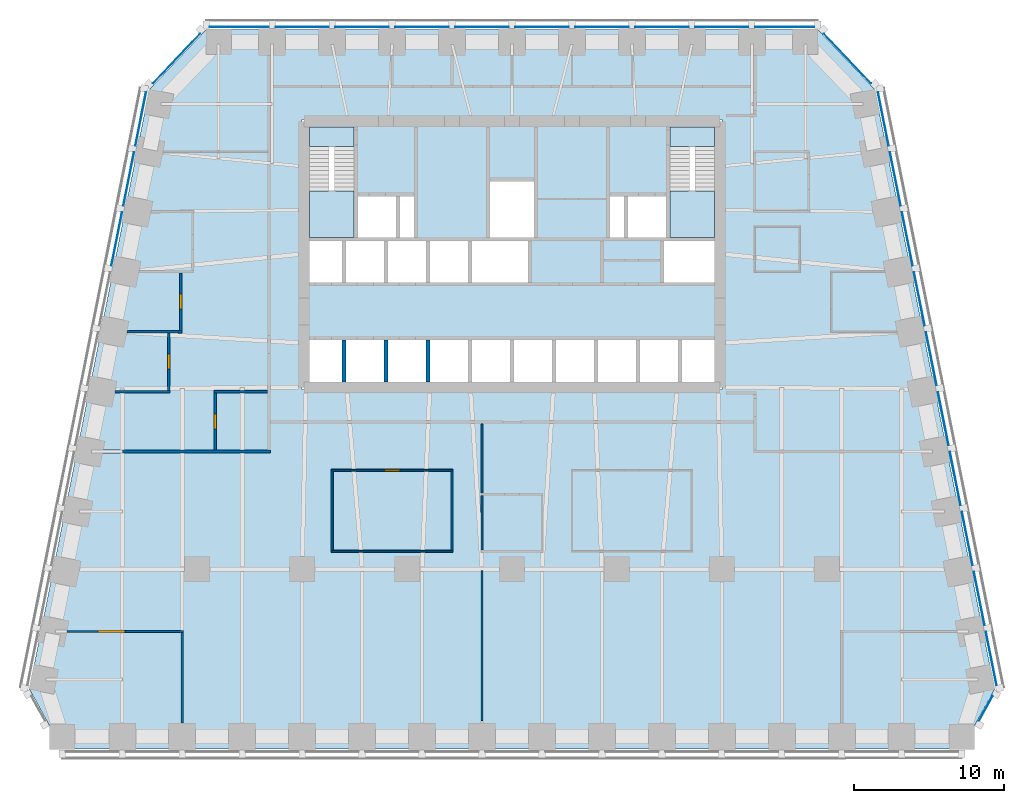
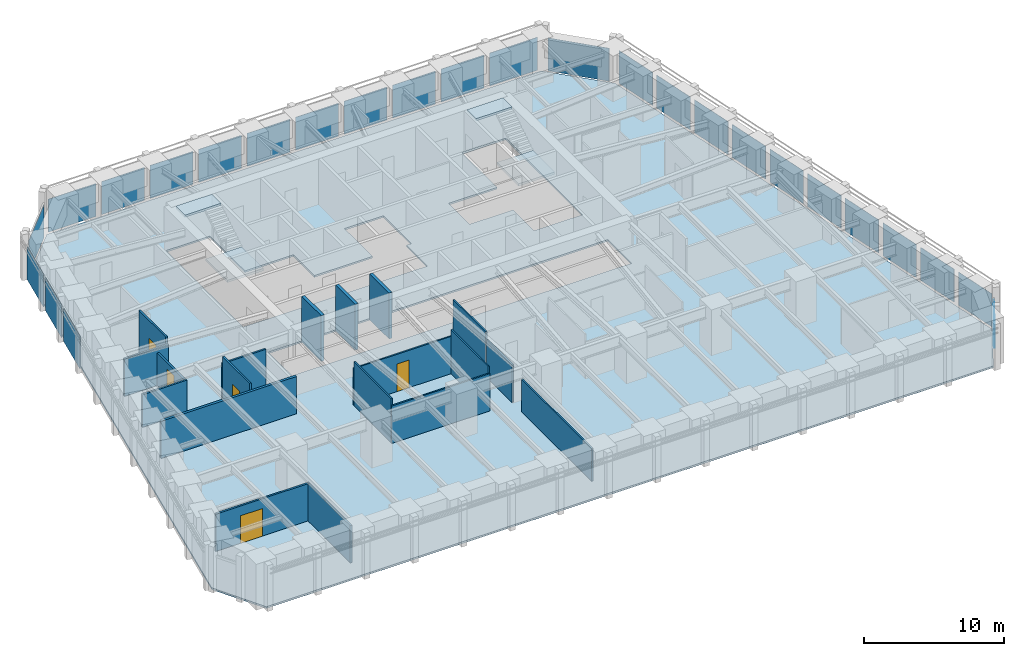
# One storey, part 5 of 10: 26 plates, 19 walls, 5 doors, 5 slabs, 5 openings, 8 elements without a shape of their own.
"""IFC4 building model written with IfcOpenShell, lengths in metres."""

from ifc_helpers import new_model, si_unit, direction, frame, frame_2d, origin, origin_2d, place, context, subcontext, project, spatial, polyline, rectangle, outline, extrude, material, layer, layer_set, type_object, element, fill, aggregate, save


model = new_model("IFC4")

# Units and contexts
model_context = context("Model", 3, precision=1e-05, world=origin(), true_north=direction((0.0, 1.0)))
body_context = subcontext(model_context, "Body", "Model", "MODEL_VIEW")
ifc_project = project(units=[si_unit("LENGTHUNIT", "METRE"), si_unit("AREAUNIT", "SQUARE_METRE"), si_unit("VOLUMEUNIT", "CUBIC_METRE"), si_unit("PLANEANGLEUNIT", "RADIAN"), si_unit("MASSUNIT", "GRAM", prefix="KILO")], contexts=[model_context])

# Site, building, storey
site_placement = place(None, origin())
site = spatial("IfcSite", under=ifc_project, at=site_placement, CompositionType="ELEMENT")
building_placement = place(site_placement, origin())
building = spatial("IfcBuilding", under=site, at=building_placement, Name="Isbrekke Arena Tower", CompositionType="ELEMENT")
storey_placement = place(building_placement, frame((0.0, 0.0, 123.0)))
storey = spatial("IfcBuildingStorey", under=building, at=storey_placement, Name="L27", CompositionType="ELEMENT", Elevation=123.0)

# Curtain wall, plate
ifc_material_1 = material(Name="Glazed aluminium curtain wall", Category="aluminium")
curtain_wall_type = type_object("IfcCurtainWallType", Name="CWM TOWER CURTAIN WALL MID ZONE", PredefinedType="USERDEFINED", material=ifc_material_1)
curtain_wall_1_placement = place(storey_placement, origin())
curtain_wall_1 = element("IfcCurtainWall", 1, at=curtain_wall_1_placement, inside=storey, type_object=curtain_wall_type, Name="CWM curtain wall L27-SE", ObjectType="TOWER CURTAIN WALL MID ZONE", PredefinedType="USERDEFINED")
ifc_material_2 = material(Name="Triple-glazed clear glass unit", Category="glass")
ifc_layer_1 = layer(ifc_material_2, 0.031982421875)
ifc_layer_set_1 = layer_set([ifc_layer_1], Name="CWM-P VISION PANEL")
plate_type = type_object("IfcPlateType", Name="CWM-P VISION PANEL", PredefinedType="CURTAIN_PANEL", material=ifc_layer_set_1)
plate_1_placement = place(storey_placement, frame((31.604248046875, -15.29052734375, 0.02001953125), z_axis=(0.0, 0.0, 1.0), x_axis=(0.481918749773, 0.876215908676, 0.0)))
plate_1 = element("IfcPlate", 2, at=plate_1_placement, type_object=plate_type, Name="CWM-P panel 1", PredefinedType="CURTAIN_PANEL", context=body_context, shape_type="SweptSolid", body=[
    extrude(rectangle(XDim=1.876220703125, YDim=0.031982421875, at=origin_2d()), origin(), (0.0, 0.0, 1.0), 2.8798828125),
])
aggregate(curtain_wall_1, [plate_1])

# Curtain wall, plates
curtain_wall_2_placement = place(storey_placement, origin())
curtain_wall_2 = element("IfcCurtainWall", 3, at=curtain_wall_2_placement, inside=storey, type_object=curtain_wall_type, Name="CWM curtain wall L27-E", ObjectType="TOWER CURTAIN WALL MID ZONE", PredefinedType="USERDEFINED")
plate_2_placement = place(storey_placement, frame((31.9716796875, -11.965576171875, 0.02001953125), z_axis=(0.0, 0.0, 1.0), x_axis=(-0.196116135138, 0.980580675691, 0.0)))
plate_2 = element("IfcPlate", 4, at=plate_2_placement, type_object=plate_type, Name="CWM-P panel 1", PredefinedType="CURTAIN_PANEL", context=body_context, shape_type="SweptSolid", body=[
    extrude(rectangle(XDim=3.629150390625, YDim=0.031982421875, at=origin_2d()), origin(), (0.0, 0.0, 1.0), 2.8798828125),
])
plate_3_placement = place(storey_placement, frame((31.171630859375, -7.965576171875, 0.02001953125), z_axis=(0.0, 0.0, 1.0), x_axis=(-0.196116135138, 0.980580675691, 0.0)))
plate_3 = element("IfcPlate", 5, at=plate_3_placement, type_object=plate_type, Name="CWM-P panel 2", PredefinedType="CURTAIN_PANEL", context=body_context, shape_type="SweptSolid", body=[
    extrude(rectangle(XDim=3.629150390625, YDim=0.031982421875, at=origin_2d()), origin(), (0.0, 0.0, 1.0), 2.8798828125),
])
plate_4_placement = place(storey_placement, frame((30.37158203125, -3.965576171875, 0.02001953125), z_axis=(0.0, 0.0, 1.0), x_axis=(-0.196116135138, 0.980580675691, 0.0)))
plate_4 = element("IfcPlate", 6, at=plate_4_placement, type_object=plate_type, Name="CWM-P panel 3", PredefinedType="CURTAIN_PANEL", context=body_context, shape_type="SweptSolid", body=[
    extrude(rectangle(XDim=3.629150390625, YDim=0.031982421875, at=origin_2d()), origin(), (0.0, 0.0, 1.0), 2.8798828125),
])
plate_5_placement = place(storey_placement, frame((29.571533203125, 0.034423828125, 0.02001953125), z_axis=(0.0, 0.0, 1.0), x_axis=(-0.196116135138, 0.980580675691, 0.0)))
plate_5 = element("IfcPlate", 7, at=plate_5_placement, type_object=plate_type, Name="CWM-P panel 4", PredefinedType="CURTAIN_PANEL", context=body_context, shape_type="SweptSolid", body=[
    extrude(rectangle(XDim=3.629150390625, YDim=0.031982421875, at=origin_2d()), origin(), (0.0, 0.0, 1.0), 2.8798828125),
])
plate_6_placement = place(storey_placement, frame((28.771484375, 4.034423828125, 0.02001953125), z_axis=(0.0, 0.0, 1.0), x_axis=(-0.196116135138, 0.980580675691, 0.0)))
plate_6 = element("IfcPlate", 8, at=plate_6_placement, type_object=plate_type, Name="CWM-P panel 5", PredefinedType="CURTAIN_PANEL", context=body_context, shape_type="SweptSolid", body=[
    extrude(rectangle(XDim=3.629150390625, YDim=0.031982421875, at=origin_2d()), origin(), (0.0, 0.0, 1.0), 2.8798828125),
])
plate_7_placement = place(storey_placement, frame((27.9716796875, 8.034423828125, 0.02001953125), z_axis=(0.0, 0.0, 1.0), x_axis=(-0.196116135138, 0.980580675691, 0.0)))
plate_7 = element("IfcPlate", 9, at=plate_7_placement, type_object=plate_type, Name="CWM-P panel 6", PredefinedType="CURTAIN_PANEL", context=body_context, shape_type="SweptSolid", body=[
    extrude(rectangle(XDim=3.629150390625, YDim=0.031982421875, at=origin_2d()), origin(), (0.0, 0.0, 1.0), 2.8798828125),
])
plate_8_placement = place(storey_placement, frame((27.171630859375, 12.034423828125, 0.02001953125), z_axis=(0.0, 0.0, 1.0), x_axis=(-0.196116135138, 0.980580675691, 0.0)))
plate_8 = element("IfcPlate", 10, at=plate_8_placement, type_object=plate_type, Name="CWM-P panel 7", PredefinedType="CURTAIN_PANEL", context=body_context, shape_type="SweptSolid", body=[
    extrude(rectangle(XDim=3.629150390625, YDim=0.031982421875, at=origin_2d()), origin(), (0.0, 0.0, 1.0), 2.8798828125),
])
plate_9_placement = place(storey_placement, frame((26.37158203125, 16.034423828125, 0.02001953125), z_axis=(0.0, 0.0, 1.0), x_axis=(-0.196116135138, 0.980580675691, 0.0)))
plate_9 = element("IfcPlate", 11, at=plate_9_placement, type_object=plate_type, Name="CWM-P panel 8", PredefinedType="CURTAIN_PANEL", context=body_context, shape_type="SweptSolid", body=[
    extrude(rectangle(XDim=3.629150390625, YDim=0.031982421875, at=origin_2d()), origin(), (0.0, 0.0, 1.0), 2.8798828125),
])
plate_10_placement = place(storey_placement, frame((25.571533203125, 20.034423828125, 0.02001953125), z_axis=(0.0, 0.0, 1.0), x_axis=(-0.196116135138, 0.980580675691, 0.0)))
plate_10 = element("IfcPlate", 12, at=plate_10_placement, type_object=plate_type, Name="CWM-P panel 9", PredefinedType="CURTAIN_PANEL", context=body_context, shape_type="SweptSolid", body=[
    extrude(rectangle(XDim=3.629150390625, YDim=0.031982421875, at=origin_2d()), origin(), (0.0, 0.0, 1.0), 2.8798828125),
])
plate_11_placement = place(storey_placement, frame((24.771484375, 24.034423828125, 0.02001953125), z_axis=(0.0, 0.0, 1.0), x_axis=(-0.196116135138, 0.980580675691, 0.0)))
plate_11 = element("IfcPlate", 13, at=plate_11_placement, type_object=plate_type, Name="CWM-P panel 10", PredefinedType="CURTAIN_PANEL", context=body_context, shape_type="SweptSolid", body=[
    extrude(rectangle(XDim=3.629150390625, YDim=0.031982421875, at=origin_2d()), origin(), (0.0, 0.0, 1.0), 2.8798828125),
])
aggregate(curtain_wall_2, [plate_2, plate_3, plate_4, plate_5, plate_6, plate_7, plate_8, plate_9, plate_10, plate_11])

# Curtain wall, plate
curtain_wall_3_placement = place(storey_placement, origin())
curtain_wall_3 = element("IfcCurtainWall", 14, at=curtain_wall_3_placement, inside=storey, type_object=curtain_wall_type, Name="CWM curtain wall L27-EN", ObjectType="TOWER CURTAIN WALL MID ZONE", PredefinedType="USERDEFINED")
plate_12_placement = place(storey_placement, frame((22.374755859375, 28.06640625, 0.02001953125), z_axis=(0.0, 0.0, 1.0), x_axis=(-0.68874946192, 0.72499943359, 0.0)))
plate_12 = element("IfcPlate", 15, at=plate_12_placement, type_object=plate_type, Name="CWM-P panel 1", PredefinedType="CURTAIN_PANEL", context=body_context, shape_type="SweptSolid", body=[
    extrude(rectangle(XDim=4.558349609375, YDim=0.031982421875, at=origin_2d()), origin(), (0.0, 0.0, 1.0), 2.8798828125),
])
aggregate(curtain_wall_3, [plate_12])

# Curtain wall, plates
curtain_wall_4_placement = place(storey_placement, origin())
curtain_wall_4 = element("IfcCurtainWall", 16, at=curtain_wall_4_placement, inside=storey, type_object=curtain_wall_type, Name="CWM curtain wall L27-N", ObjectType="TOWER CURTAIN WALL MID ZONE", PredefinedType="USERDEFINED")
plate_13_placement = place(storey_placement, frame((18.199951171875, 30.175048828125, 0.02001953125), z_axis=(0.0, 0.0, 1.0), x_axis=(-1.0, 0.0, 0.0)))
plate_13 = element("IfcPlate", 17, at=plate_13_placement, type_object=plate_type, Name="CWM-P panel 1", PredefinedType="CURTAIN_PANEL", context=body_context, shape_type="SweptSolid", body=[
    extrude(rectangle(XDim=3.949951171875, YDim=0.031982421875, at=origin_2d()), origin(), (0.0, 0.0, 1.0), 2.8798828125),
])
plate_14_placement = place(storey_placement, frame((14.0, 30.175048828125, 0.02001953125), z_axis=(0.0, 0.0, 1.0), x_axis=(-1.0, 0.0, 0.0)))
plate_14 = element("IfcPlate", 18, at=plate_14_placement, type_object=plate_type, Name="CWM-P panel 2", PredefinedType="CURTAIN_PANEL", context=body_context, shape_type="SweptSolid", body=[
    extrude(rectangle(XDim=3.550048828125, YDim=0.031982421875, at=origin_2d()), origin(), (0.0, 0.0, 1.0), 2.8798828125),
])
plate_15_placement = place(storey_placement, frame((10.0, 30.175048828125, 0.02001953125), z_axis=(0.0, 0.0, 1.0), x_axis=(-1.0, 0.0, 0.0)))
plate_15 = element("IfcPlate", 19, at=plate_15_placement, type_object=plate_type, Name="CWM-P panel 3", PredefinedType="CURTAIN_PANEL", context=body_context, shape_type="SweptSolid", body=[
    extrude(rectangle(XDim=3.550048828125, YDim=0.031982421875, at=origin_2d()), origin(), (0.0, 0.0, 1.0), 2.8798828125),
])
plate_16_placement = place(storey_placement, frame((6.0, 30.175048828125, 0.02001953125), z_axis=(0.0, 0.0, 1.0), x_axis=(-1.0, 0.0, 0.0)))
plate_16 = element("IfcPlate", 20, at=plate_16_placement, type_object=plate_type, Name="CWM-P panel 4", PredefinedType="CURTAIN_PANEL", context=body_context, shape_type="SweptSolid", body=[
    extrude(rectangle(XDim=3.550048828125, YDim=0.031982421875, at=origin_2d()), origin(), (0.0, 0.0, 1.0), 2.8798828125),
])
plate_17_placement = place(storey_placement, frame((2.0, 30.175048828125, 0.02001953125), z_axis=(0.0, 0.0, 1.0), x_axis=(-1.0, 0.0, 0.0)))
plate_17 = element("IfcPlate", 21, at=plate_17_placement, type_object=plate_type, Name="CWM-P panel 5", PredefinedType="CURTAIN_PANEL", context=body_context, shape_type="SweptSolid", body=[
    extrude(rectangle(XDim=3.550048828125, YDim=0.031982421875, at=origin_2d()), origin(), (0.0, 0.0, 1.0), 2.8798828125),
])
plate_18_placement = place(storey_placement, frame((-2.0, 30.175048828125, 0.02001953125), z_axis=(0.0, 0.0, 1.0), x_axis=(-1.0, 0.0, 0.0)))
plate_18 = element("IfcPlate", 22, at=plate_18_placement, type_object=plate_type, Name="CWM-P panel 6", PredefinedType="CURTAIN_PANEL", context=body_context, shape_type="SweptSolid", body=[
    extrude(rectangle(XDim=3.550048828125, YDim=0.031982421875, at=origin_2d()), origin(), (0.0, 0.0, 1.0), 2.8798828125),
])
plate_19_placement = place(storey_placement, frame((-6.0, 30.175048828125, 0.02001953125), z_axis=(0.0, 0.0, 1.0), x_axis=(-1.0, 0.0, 0.0)))
plate_19 = element("IfcPlate", 23, at=plate_19_placement, type_object=plate_type, Name="CWM-P panel 7", PredefinedType="CURTAIN_PANEL", context=body_context, shape_type="SweptSolid", body=[
    extrude(rectangle(XDim=3.550048828125, YDim=0.031982421875, at=origin_2d()), origin(), (0.0, 0.0, 1.0), 2.8798828125),
])
plate_20_placement = place(storey_placement, frame((-10.0, 30.175048828125, 0.02001953125), z_axis=(0.0, 0.0, 1.0), x_axis=(-1.0, 0.0, 0.0)))
plate_20 = element("IfcPlate", 24, at=plate_20_placement, type_object=plate_type, Name="CWM-P panel 8", PredefinedType="CURTAIN_PANEL", context=body_context, shape_type="SweptSolid", body=[
    extrude(rectangle(XDim=3.550048828125, YDim=0.031982421875, at=origin_2d()), origin(), (0.0, 0.0, 1.0), 2.8798828125),
])
plate_21_placement = place(storey_placement, frame((-14.0, 30.175048828125, 0.02001953125), z_axis=(0.0, 0.0, 1.0), x_axis=(-1.0, 0.0, 0.0)))
plate_21 = element("IfcPlate", 25, at=plate_21_placement, type_object=plate_type, Name="CWM-P panel 9", PredefinedType="CURTAIN_PANEL", context=body_context, shape_type="SweptSolid", body=[
    extrude(rectangle(XDim=3.550048828125, YDim=0.031982421875, at=origin_2d()), origin(), (0.0, 0.0, 1.0), 2.8798828125),
])
plate_22_placement = place(storey_placement, frame((-18.199951171875, 30.175048828125, 0.02001953125), z_axis=(0.0, 0.0, 1.0), x_axis=(-1.0, 0.0, 0.0)))
plate_22 = element("IfcPlate", 26, at=plate_22_placement, type_object=plate_type, Name="CWM-P panel 10", PredefinedType="CURTAIN_PANEL", context=body_context, shape_type="SweptSolid", body=[
    extrude(rectangle(XDim=3.949951171875, YDim=0.031982421875, at=origin_2d()), origin(), (0.0, 0.0, 1.0), 2.8798828125),
])
aggregate(curtain_wall_4, [plate_13, plate_14, plate_15, plate_16, plate_17, plate_18, plate_19, plate_20, plate_21, plate_22])

# Curtain wall, plate
curtain_wall_5_placement = place(storey_placement, origin())
curtain_wall_5 = element("IfcCurtainWall", 27, at=curtain_wall_5_placement, inside=storey, type_object=curtain_wall_type, Name="CWM curtain wall L27-NW", ObjectType="TOWER CURTAIN WALL MID ZONE", PredefinedType="USERDEFINED")
plate_23_placement = place(storey_placement, frame((-22.37451171875, 28.066650390625, 0.02001953125), z_axis=(0.0, 0.0, 1.0), x_axis=(-0.68874946192, -0.72499943359, 0.0)))
plate_23 = element("IfcPlate", 28, at=plate_23_placement, type_object=plate_type, Name="CWM-P panel 1", PredefinedType="CURTAIN_PANEL", context=body_context, shape_type="SweptSolid", body=[
    extrude(rectangle(XDim=4.557373046875, YDim=0.031982421875, at=origin_2d()), origin(), (0.0, 0.0, 1.0), 2.8798828125),
])
aggregate(curtain_wall_5, [plate_23])

# Curtain wall, plates
curtain_wall_6_placement = place(storey_placement, origin())
curtain_wall_6 = element("IfcCurtainWall", 29, at=curtain_wall_6_placement, inside=storey, type_object=curtain_wall_type, Name="CWM curtain wall L27-W", ObjectType="TOWER CURTAIN WALL MID ZONE", PredefinedType="USERDEFINED")
plate_24_placement = place(storey_placement, frame((-24.771484375, 24.034423828125, 0.02001953125), z_axis=(0.0, 0.0, 1.0), x_axis=(-0.196116135138, -0.980580675691, 0.0)))
plate_24 = element("IfcPlate", 30, at=plate_24_placement, type_object=plate_type, Name="CWM-P panel 1", PredefinedType="CURTAIN_PANEL", context=body_context, shape_type="SweptSolid", body=[
    extrude(rectangle(XDim=3.629150390625, YDim=0.031982421875, at=origin_2d()), origin(), (0.0, 0.0, 1.0), 2.8798828125),
])
plate_25_placement = place(storey_placement, frame((-25.571533203125, 20.034423828125, 0.02001953125), z_axis=(0.0, 0.0, 1.0), x_axis=(-0.196116135138, -0.980580675691, 0.0)))
plate_25 = element("IfcPlate", 31, at=plate_25_placement, type_object=plate_type, Name="CWM-P panel 2", PredefinedType="CURTAIN_PANEL", context=body_context, shape_type="SweptSolid", body=[
    extrude(rectangle(XDim=3.629150390625, YDim=0.031982421875, at=origin_2d()), origin(), (0.0, 0.0, 1.0), 2.8798828125),
])
plate_26_placement = place(storey_placement, frame((-26.37158203125, 16.034423828125, 0.02001953125), z_axis=(0.0, 0.0, 1.0), x_axis=(-0.196116135138, -0.980580675691, 0.0)))
plate_26 = element("IfcPlate", 32, at=plate_26_placement, type_object=plate_type, Name="CWM-P panel 3", PredefinedType="CURTAIN_PANEL", context=body_context, shape_type="SweptSolid", body=[
    extrude(rectangle(XDim=3.629150390625, YDim=0.031982421875, at=origin_2d()), origin(), (0.0, 0.0, 1.0), 2.8798828125),
])
aggregate(curtain_wall_6, [plate_24, plate_25, plate_26])

# Slab
ifc_material_3 = material(Name="Concrete B35 (C35/45)", Category="concrete")
ifc_layer_2 = layer(ifc_material_3, 0.14990234375)
ifc_layer_set_2 = layer_set([ifc_layer_2], Name="FS1 COMPOSITE FLOOR 150")
slab_type_1 = type_object("IfcSlabType", Name="FS1 COMPOSITE FLOOR 150", PredefinedType="FLOOR", material=ifc_layer_set_2)
slab_1_placement = place(storey_placement, frame((0.0, 0.0, -0.14990234375)))
element("IfcSlab", 33, at=slab_1_placement, inside=storey, type_object=slab_type_1, Name="FS1 floor slab L27", PredefinedType="FLOOR", context=body_context, shape_type="SweptSolid", body=[
    extrude(outline(polyline([(-30.0, -18.0), (30.0, -18.0), (32.199951171875, -14.0), (24.199951171875, 26.0), (20.39990234375, 30.0), (-20.39990234375, 30.0), (-24.199951171875, 26.0), (-32.199951171875, -14.0), (-30.0, -18.0)]), holes=[polyline([(14.0, 9.39990234375), (14.0, 6.0), (-14.0, 6.0), (-14.0, 9.39990234375), (14.0, 9.39990234375)]), polyline([(-6.39990234375, 19.0), (-6.39990234375, 16.0), (-1.60009765625, 16.0), (-1.60009765625, 20.0), (1.60009765625, 20.0), (1.60009765625, 16.0), (1.199951171875, 16.0), (1.199951171875, 13.0), (-14.0, 13.0), (-14.0, 24.0), (-10.39990234375, 24.0), (-10.39990234375, 19.0), (-6.39990234375, 19.0)]), polyline([(10.0, 13.0), (10.0, 16.0), (6.39990234375, 16.0), (6.39990234375, 19.0), (10.39990234375, 19.0), (10.39990234375, 24.0), (14.0, 24.0), (14.0, 13.0), (10.0, 13.0)])]), origin(), (0.0, 0.0, 1.0), 0.14990234375),
])

# Stair, slabs
ifc_material_4 = material(Name="Concrete B45 (C45/55) precast", Category="concrete")
stair_type = type_object("IfcStairType", Name="ST40 STAIR 1300 WIDE, 24 RISERS 167", PredefinedType="HALF_TURN_STAIR", material=ifc_material_4)
stair_1_placement = place(storey_placement, origin())
stair_1 = element("IfcStair", 34, at=stair_1_placement, inside=storey, type_object=stair_type, Name="ST1 stair L27", PredefinedType="HALF_TURN_STAIR")
ifc_material_5 = material(Name="Concrete B35 (C35/45)", Category="concrete")
ifc_layer_3 = layer(ifc_material_5, 0.199951171875)
ifc_layer_set_3 = layer_set([ifc_layer_3], Name="SL1 STAIR LANDING 200")
slab_type_2 = type_object("IfcSlabType", Name="SL1 STAIR LANDING 200", PredefinedType="LANDING", material=ifc_layer_set_3)
slab_2_placement = place(storey_placement, frame((0.0, 0.0, 1.800048828125)))
slab_2 = element("IfcSlab", 35, at=slab_2_placement, type_object=slab_type_2, Name="ST1 landing 1", PredefinedType="LANDING", context=body_context, shape_type="SweptSolid", body=[
    extrude(outline(polyline([(-13.5, 16.125), (-10.52490234375, 16.125), (-10.52490234375, 19.22998046875), (-13.5, 19.22998046875), (-13.5, 16.125)])), origin(), (0.0, 0.0, 1.0), 0.199951171875),
])
slab_3_placement = place(storey_placement, frame((0.0, 0.0, 3.800048828125)))
slab_3 = element("IfcSlab", 36, at=slab_3_placement, type_object=slab_type_2, Name="ST1 landing 2", PredefinedType="LANDING", context=body_context, shape_type="SweptSolid", body=[
    extrude(outline(polyline([(-13.5, 22.199951171875), (-10.52490234375, 22.199951171875), (-10.52490234375, 23.5), (-13.5, 23.5), (-13.5, 22.199951171875)])), origin(), (0.0, 0.0, 1.0), 0.199951171875),
])
aggregate(stair_1, [slab_2, slab_3])

stair_2_placement = place(storey_placement, origin())
stair_2 = element("IfcStair", 37, at=stair_2_placement, inside=storey, type_object=stair_type, Name="ST2 stair L27", PredefinedType="HALF_TURN_STAIR")
slab_4_placement = place(storey_placement, frame((0.0, 0.0, 1.800048828125)))
slab_4 = element("IfcSlab", 38, at=slab_4_placement, type_object=slab_type_2, Name="ST2 landing 1", PredefinedType="LANDING", context=body_context, shape_type="SweptSolid", body=[
    extrude(outline(polyline([(10.52490234375, 16.125), (13.5, 16.125), (13.5, 19.22998046875), (10.52490234375, 19.22998046875), (10.52490234375, 16.125)])), origin(), (0.0, 0.0, 1.0), 0.199951171875),
])
slab_5_placement = place(storey_placement, frame((0.0, 0.0, 3.800048828125)))
slab_5 = element("IfcSlab", 39, at=slab_5_placement, type_object=slab_type_2, Name="ST2 landing 2", PredefinedType="LANDING", context=body_context, shape_type="SweptSolid", body=[
    extrude(outline(polyline([(10.52490234375, 22.199951171875), (13.5, 22.199951171875), (13.5, 23.5), (10.52490234375, 23.5), (10.52490234375, 22.199951171875)])), origin(), (0.0, 0.0, 1.0), 0.199951171875),
])
aggregate(stair_2, [slab_4, slab_5])

# Walls
ifc_material_6 = material(Name="Concrete B45 (C45/55)", Category="concrete")
ifc_layer_4 = layer(ifc_material_6, 0.25)
ifc_layer_set_4 = layer_set([ifc_layer_4], Name="CW6 SHAFT WALL 250")
wall_type_1 = type_object("IfcWallType", Name="CW6 SHAFT WALL 250", PredefinedType="SHEAR", material=ifc_layer_set_4)
for number, where, z_axis, x_axis, name in (
    (40, (-11.199951171875, 6.5, 0.0), (0.0, 0.0, 1.0), (0.0, 1.0, 0.0), "Core wall SS01 L27"),
    (41, (-8.39990234375, 6.5, 0.0), (0.0, 0.0, 1.0), (0.0, 1.0, 0.0), "Core wall SS02 L27"),
    (42, (-5.60009765625, 6.5, 0.0), (0.0, 0.0, 1.0), (0.0, 1.0, 0.0), "Core wall SS03 L27"),
):
    element("IfcWall", number, at=place(storey_placement, frame(where, z_axis=z_axis, x_axis=x_axis)), inside=storey, type_object=wall_type_1, Name=name, PredefinedType="SHEAR", context=body_context, shape_type="SweptSolid", body=[
        extrude(rectangle(XDim=2.77490234375, YDim=0.25, at=frame_2d((1.387451171875, 0.0))), origin(), (0.0, 0.0, 1.0), 4.0),
    ])

# Wall, opening, door
ifc_material_7 = material(Name="Gypsum board partition on steel studs", Category="steel")
ifc_layer_5 = layer(ifc_material_7, 0.14990234375)
ifc_layer_set_5 = layer_set([ifc_layer_5], Name="IW1 PARTITION 150")
wall_type_2 = type_object("IfcWallType", Name="IW1 PARTITION 150", PredefinedType="PARTITIONING", material=ifc_layer_set_5)
wall_1_placement = place(storey_placement, frame((-29.6728515625, -10.159912109375, 0.0), z_axis=(0.0, 0.0, 1.0), x_axis=(1.0, 0.0, 0.0)))
wall_1 = element("IfcWall", 43, at=wall_1_placement, inside=storey, type_object=wall_type_2, Name="IW1 partition 150 L27", PredefinedType="PARTITIONING", context=body_context, shape_type="SweptSolid", body=[
    extrude(rectangle(XDim=7.747802734375, YDim=0.14990234375, at=frame_2d((3.8740234375, 0.0))), origin(), (0.0, 0.0, 1.0), 3.25),
])
opening_1_placement = place(wall_1_placement, frame((2.041015625, 0.0, 0.0)))
opening_1 = element("IfcOpeningElement", 44, at=opening_1_placement, cuts=wall_1, Name="Opening D13", PredefinedType="OPENING", context=body_context, shape_type="SweptSolid", body=[
    extrude(rectangle(XDim=1.800048828125, YDim=2.39990234375, at=frame_2d((0.89990234375, 1.199951171875))), frame((0.0, 0.08984375, 0.0), z_axis=(0.0, -1.0, 0.0), x_axis=(1.0, 0.0, 0.0)), (0.0, 0.0, 1.0), 0.1796875),
])
ifc_material_8 = material(Name="Timber door pair", Category="wood")
door_type_1 = type_object("IfcDoorType", Name="D13 DOUBLE ROOM DOOR 1800 x 2400", OperationType="DOUBLE_DOOR_SINGLE_SWING", PredefinedType="DOOR", material=ifc_material_8)
door_1_placement = place(opening_1_placement, origin())
door_1 = element("IfcDoor", 45, at=door_1_placement, inside=storey, type_object=door_type_1, Name="D13 office door L27", OperationType="DOUBLE_DOOR_SINGLE_SWING", OverallHeight=2.39990234375, OverallWidth=1.800048828125, PredefinedType="DOOR", context=body_context, shape_type="SweptSolid", body=[
    extrude(rectangle(XDim=1.800048828125, YDim=2.39990234375, at=frame_2d((0.89990234375, 1.199951171875))), frame((0.0, 0.07470703125, 0.0), z_axis=(0.0, -1.0, 0.0), x_axis=(1.0, 0.0, 0.0)), (0.0, 0.0, 1.0), 0.1494140625),
])
fill(opening_1, door_1)

# Walls
wall_2_placement = place(storey_placement, frame((-26.472900390625, 5.840087890625, 0.0), z_axis=(0.0, 0.0, 1.0), x_axis=(1.0, 0.0, 0.0)))
element("IfcWall", 46, at=wall_2_placement, inside=storey, type_object=wall_type_2, Name="IW1 partition 150 L27", PredefinedType="PARTITIONING", context=body_context, shape_type="SweptSolid", body=[
    extrude(rectangle(XDim=3.64794921875, YDim=0.14990234375, at=frame_2d((1.823974609375, 0.0))), origin(), (0.0, 0.0, 1.0), 2.842041015625),
])
wall_3_placement = place(storey_placement, frame((-19.875, 5.840087890625, 0.0), z_axis=(0.0, 0.0, 1.0), x_axis=(1.0, 0.0, 0.0)))
element("IfcWall", 47, at=wall_3_placement, inside=storey, type_object=wall_type_2, Name="IW1 partition 150 L27", PredefinedType="PARTITIONING", context=body_context, shape_type="SweptSolid", body=[
    extrude(rectangle(XDim=3.574951171875, YDim=0.14990234375, at=frame_2d((1.78759765625, 0.0))), origin(), (0.0, 0.0, 1.0), 3.25),
])
wall_4_placement = place(storey_placement, frame((-25.6728515625, 9.840087890625, 0.0), z_axis=(0.0, 0.0, 1.0), x_axis=(1.0, 0.0, 0.0)))
element("IfcWall", 48, at=wall_4_placement, inside=storey, type_object=wall_type_2, Name="IW1 partition 150 L27", PredefinedType="PARTITIONING", context=body_context, shape_type="SweptSolid", body=[
    extrude(rectangle(XDim=3.64794921875, YDim=0.14990234375, at=frame_2d((1.823974609375, 0.0))), origin(), (0.0, 0.0, 1.0), 3.25),
])

# Wall, opening, door
wall_5_placement = place(storey_placement, frame((-22.89990234375, 5.9150390625, 0.0), z_axis=(0.0, 0.0, 1.0), x_axis=(0.0, 1.0, 0.0)))
wall_5 = element("IfcWall", 49, at=wall_5_placement, inside=storey, type_object=wall_type_2, Name="IW1 partition 150 L27", PredefinedType="PARTITIONING", context=body_context, shape_type="SweptSolid", body=[
    extrude(rectangle(XDim=3.849853515625, YDim=0.14990234375, at=frame_2d((1.9248046875, 0.0))), origin(), (0.0, 0.0, 1.0), 2.842041015625),
])
opening_2_placement = place(wall_5_placement, frame((1.425048828125, 0.0, 0.0)))
opening_2 = element("IfcOpeningElement", 50, at=opening_2_placement, cuts=wall_5, Name="Opening D10", PredefinedType="OPENING", context=body_context, shape_type="SweptSolid", body=[
    extrude(rectangle(XDim=1.0, YDim=2.300048828125, at=frame_2d((0.5, 1.14990234375))), frame((0.0, 0.08984375, 0.0), z_axis=(0.0, -1.0, 0.0), x_axis=(1.0, 0.0, 0.0)), (0.0, 0.0, 1.0), 0.1796875),
])
ifc_material_9 = material(Name="Timber door", Category="wood")
door_type_2 = type_object("IfcDoorType", Name="D10 OFFICE DOOR 1000 x 2300", OperationType="SINGLE_SWING_LEFT", PredefinedType="DOOR", material=ifc_material_9)
door_2_placement = place(opening_2_placement, origin())
door_2 = element("IfcDoor", 51, at=door_2_placement, inside=storey, type_object=door_type_2, Name="D10 office door L27", OperationType="SINGLE_SWING_LEFT", OverallHeight=2.300048828125, OverallWidth=1.0, PredefinedType="DOOR", context=body_context, shape_type="SweptSolid", body=[
    extrude(rectangle(XDim=1.0, YDim=2.300048828125, at=frame_2d((0.5, 1.14990234375))), frame((0.0, 0.07470703125, 0.0), z_axis=(0.0, -1.0, 0.0), x_axis=(1.0, 0.0, 0.0)), (0.0, 0.0, 1.0), 0.1494140625),
])
fill(opening_2, door_2)

wall_6_placement = place(storey_placement, frame((-22.10009765625, 9.9150390625, 0.0), z_axis=(0.0, 0.0, 1.0), x_axis=(0.0, 1.0, 0.0)))
wall_6 = element("IfcWall", 52, at=wall_6_placement, inside=storey, type_object=wall_type_2, Name="IW1 partition 150 L27", PredefinedType="PARTITIONING", context=body_context, shape_type="SweptSolid", body=[
    extrude(rectangle(XDim=3.849853515625, YDim=0.14990234375, at=frame_2d((1.9248046875, 0.0))), origin(), (0.0, 0.0, 1.0), 3.85009765625),
])
opening_3_placement = place(wall_6_placement, frame((1.425048828125, 0.0, 0.0)))
opening_3 = element("IfcOpeningElement", 53, at=opening_3_placement, cuts=wall_6, Name="Opening D10", PredefinedType="OPENING", context=body_context, shape_type="SweptSolid", body=[
    extrude(rectangle(XDim=1.0, YDim=2.300048828125, at=frame_2d((0.5, 1.14990234375))), frame((0.0, 0.08984375, 0.0), z_axis=(0.0, -1.0, 0.0), x_axis=(1.0, 0.0, 0.0)), (0.0, 0.0, 1.0), 0.1796875),
])
door_3_placement = place(opening_3_placement, origin())
door_3 = element("IfcDoor", 54, at=door_3_placement, inside=storey, type_object=door_type_2, Name="D10 office door L27", OperationType="SINGLE_SWING_LEFT", OverallHeight=2.300048828125, OverallWidth=1.0, PredefinedType="DOOR", context=body_context, shape_type="SweptSolid", body=[
    extrude(rectangle(XDim=1.0, YDim=2.300048828125, at=frame_2d((0.5, 1.14990234375))), frame((0.0, 0.07470703125, 0.0), z_axis=(0.0, -1.0, 0.0), x_axis=(1.0, 0.0, 0.0)), (0.0, 0.0, 1.0), 0.1494140625),
])
fill(opening_3, door_3)

# Wall
wall_7_placement = place(storey_placement, frame((-22.0, -16.27490234375, 0.0), z_axis=(0.0, 0.0, 1.0), x_axis=(0.0, 1.0, 0.0)))
element("IfcWall", 55, at=wall_7_placement, inside=storey, type_object=wall_type_2, Name="IW1 partition 150 L27", PredefinedType="PARTITIONING", context=body_context, shape_type="SweptSolid", body=[
    extrude(rectangle(XDim=6.039794921875, YDim=0.14990234375, at=frame_2d((3.02001953125, 0.0))), origin(), (0.0, 0.0, 1.0), 3.25),
])

# Wall, opening, door
wall_8_placement = place(storey_placement, frame((-19.800048828125, 1.93994140625, 0.0), z_axis=(0.0, 0.0, 1.0), x_axis=(0.0, 1.0, 0.0)))
wall_8 = element("IfcWall", 56, at=wall_8_placement, inside=storey, type_object=wall_type_2, Name="IW1 partition 150 L27", PredefinedType="PARTITIONING", context=body_context, shape_type="SweptSolid", body=[
    extrude(rectangle(XDim=3.824951171875, YDim=0.14990234375, at=frame_2d((1.91259765625, 0.0))), origin(), (0.0, 0.0, 1.0), 3.85009765625),
])
opening_4_placement = place(wall_8_placement, frame((1.39990234375, 0.0, 0.0)))
opening_4 = element("IfcOpeningElement", 57, at=opening_4_placement, cuts=wall_8, Name="Opening D10", PredefinedType="OPENING", context=body_context, shape_type="SweptSolid", body=[
    extrude(rectangle(XDim=1.0, YDim=2.300048828125, at=frame_2d((0.5, 1.14990234375))), frame((0.0, 0.08984375, 0.0), z_axis=(0.0, -1.0, 0.0), x_axis=(1.0, 0.0, 0.0)), (0.0, 0.0, 1.0), 0.1796875),
])
door_4_placement = place(opening_4_placement, origin())
door_4 = element("IfcDoor", 58, at=door_4_placement, inside=storey, type_object=door_type_2, Name="D10 pantry door L27", OperationType="SINGLE_SWING_LEFT", OverallHeight=2.300048828125, OverallWidth=1.0, PredefinedType="DOOR", context=body_context, shape_type="SweptSolid", body=[
    extrude(rectangle(XDim=1.0, YDim=2.300048828125, at=frame_2d((0.5, 1.14990234375))), frame((0.0, 0.07470703125, 0.0), z_axis=(0.0, -1.0, 0.0), x_axis=(1.0, 0.0, 0.0)), (0.0, 0.0, 1.0), 0.1494140625),
])
fill(opening_4, door_4)

# Walls
wall_9_placement = place(storey_placement, frame((-2.0, -4.72509765625, 0.0), z_axis=(0.0, 0.0, 1.0), x_axis=(0.0, 1.0, 0.0)))
element("IfcWall", 59, at=wall_9_placement, inside=storey, type_object=wall_type_2, Name="IW1 partition 150 L27", PredefinedType="PARTITIONING", context=body_context, shape_type="SweptSolid", body=[
    extrude(rectangle(XDim=3.650146484375, YDim=0.14990234375, at=frame_2d((1.8251953125, 0.0))), origin(), (0.0, 0.0, 1.0), 3.25),
])
ifc_material_10 = material(Name="Frameless glazed partition, laminated acoustic glass", Category="glass")
ifc_layer_6 = layer(ifc_material_10, 0.1201171875)
ifc_layer_set_6 = layer_set([ifc_layer_6], Name="IW2 GLAZED PARTITION 120")
wall_type_3 = type_object("IfcWallType", Name="IW2 GLAZED PARTITION 120", PredefinedType="PARTITIONING", material=ifc_layer_set_6)
wall_10_placement = place(storey_placement, frame((-12.06005859375, -4.800048828125, 0.0), z_axis=(0.0, 0.0, 1.0), x_axis=(1.0, 0.0, 0.0)))
element("IfcWall", 60, at=wall_10_placement, inside=storey, type_object=wall_type_3, Name="IW2 glazed partition 120 L27", PredefinedType="PARTITIONING", context=body_context, shape_type="SweptSolid", body=[
    extrude(rectangle(XDim=8.1201171875, YDim=0.1201171875, at=frame_2d((4.06005859375, 0.0))), origin(), (0.0, 0.0, 1.0), 3.25),
])

# Wall, opening, door
wall_11_placement = place(storey_placement, frame((-12.06005859375, 0.60009765625, 0.0), z_axis=(0.0, 0.0, 1.0), x_axis=(1.0, 0.0, 0.0)))
wall_11 = element("IfcWall", 61, at=wall_11_placement, inside=storey, type_object=wall_type_3, Name="IW2 glazed partition 120 L27", PredefinedType="PARTITIONING", context=body_context, shape_type="SweptSolid", body=[
    extrude(rectangle(XDim=8.1201171875, YDim=0.1201171875, at=frame_2d((4.06005859375, 0.0))), origin(), (0.0, 0.0, 1.0), 3.25),
])
opening_5_placement = place(wall_11_placement, frame((3.56005859375, 0.0, 0.0)))
opening_5 = element("IfcOpeningElement", 62, at=opening_5_placement, cuts=wall_11, Name="Opening D11", PredefinedType="OPENING", context=body_context, shape_type="SweptSolid", body=[
    extrude(rectangle(XDim=1.0, YDim=2.39990234375, at=frame_2d((0.5, 1.199951171875))), frame((0.0, 0.074951171875, 0.0), z_axis=(0.0, -1.0, 0.0), x_axis=(1.0, 0.0, 0.0)), (0.0, 0.0, 1.0), 0.14990234375),
])
ifc_material_11 = material(Name="Frameless glazed door", Category="glass")
door_type_3 = type_object("IfcDoorType", Name="D11 GLAZED MEETING ROOM DOOR 1000 x 2400", OperationType="SINGLE_SWING_RIGHT", PredefinedType="DOOR", material=ifc_material_11)
door_5_placement = place(opening_5_placement, origin())
door_5 = element("IfcDoor", 63, at=door_5_placement, inside=storey, type_object=door_type_3, Name="D11 meeting room door L27", OperationType="SINGLE_SWING_RIGHT", OverallHeight=2.39990234375, OverallWidth=1.0, PredefinedType="DOOR", context=body_context, shape_type="SweptSolid", body=[
    extrude(rectangle(XDim=1.0, YDim=2.39990234375, at=frame_2d((0.5, 1.199951171875))), frame((0.0, 0.059814453125, 0.0), z_axis=(0.0, -1.0, 0.0), x_axis=(1.0, 0.0, 0.0)), (0.0, 0.0, 1.0), 0.11962890625),
])
fill(opening_5, door_5)

# Walls
for number, where, z_axis, x_axis, name in (
    (64, (-12.0, -4.739990234375, 0.0), (0.0, 0.0, 1.0), (0.0, 1.0, 0.0), "IW2 glazed partition 120 L27"),
    (65, (-4.0, -4.739990234375, 0.0), (0.0, 0.0, 1.0), (0.0, 1.0, 0.0), "IW2 glazed partition 120 L27"),
):
    element("IfcWall", number, at=place(storey_placement, frame(where, z_axis=z_axis, x_axis=x_axis)), inside=storey, type_object=wall_type_3, Name=name, PredefinedType="PARTITIONING", context=body_context, shape_type="SweptSolid", body=[
        extrude(rectangle(XDim=5.280029296875, YDim=0.1201171875, at=frame_2d((2.64013671875, 0.0))), origin(), (0.0, 0.0, 1.0), 3.85009765625),
    ])
wall_12_placement = place(storey_placement, frame((-1.9990234375, -16.10009765625, 0.0), z_axis=(0.0, 0.0, 1.0), x_axis=(0.0, 1.0, 0.0)))
element("IfcWall", 66, at=wall_12_placement, inside=storey, type_object=wall_type_3, Name="IW2 glazed partition 120 L27", PredefinedType="PARTITIONING", context=body_context, shape_type="SweptSolid", body=[
    extrude(rectangle(XDim=10.005126953125, YDim=0.1201171875, at=frame_2d((5.00244140625, 0.0))), origin(), (0.0, 0.0, 1.0), 2.842041015625),
])
wall_13_placement = place(storey_placement, frame((-1.9990234375, -0.905029296875, 0.0), z_axis=(0.0, 0.0, 1.0), x_axis=(0.0, 1.0, 0.0)))
element("IfcWall", 67, at=wall_13_placement, inside=storey, type_object=wall_type_3, Name="IW2 glazed partition 120 L27", PredefinedType="PARTITIONING", context=body_context, shape_type="SweptSolid", body=[
    extrude(rectangle(XDim=4.5849609375, YDim=0.1201171875, at=frame_2d((2.29248046875, 0.0))), origin(), (0.0, 0.0, 1.0), 3.85009765625),
])
ifc_material_12 = material(Name="Gypsum board fire-cell wall on steel studs, two layers each side", Category="steel")
ifc_layer_7 = layer(ifc_material_12, 0.199951171875)
ifc_layer_set_7 = layer_set([ifc_layer_7], Name="IW3 FIRE-CELL WALL 200")
wall_type_4 = type_object("IfcWallType", Name="IW3 FIRE-CELL WALL 200", PredefinedType="PARTITIONING", material=ifc_layer_set_7)
wall_14_placement = place(storey_placement, frame((-27.272705078125, 1.840087890625, 0.0), z_axis=(0.0, 0.0, 1.0), x_axis=(1.0, 0.0, 0.0)))
element("IfcWall", 68, at=wall_14_placement, inside=storey, type_object=wall_type_4, Name="IW3 fire-cell wall 200 L27", PredefinedType="PARTITIONING", context=body_context, shape_type="SweptSolid", body=[
    extrude(rectangle(XDim=11.172607421875, YDim=0.199951171875, at=frame_2d((5.58642578125, 0.0))), origin(), (0.0, 0.0, 1.0), 3.25),
])

save(model, "model.ifc")
